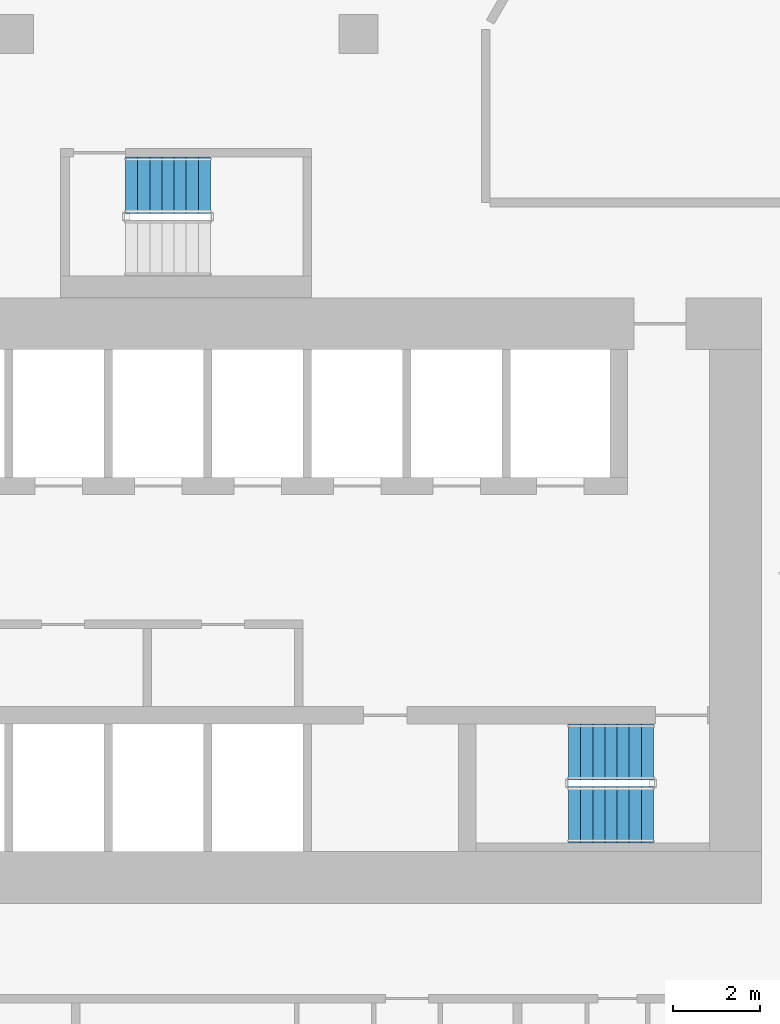
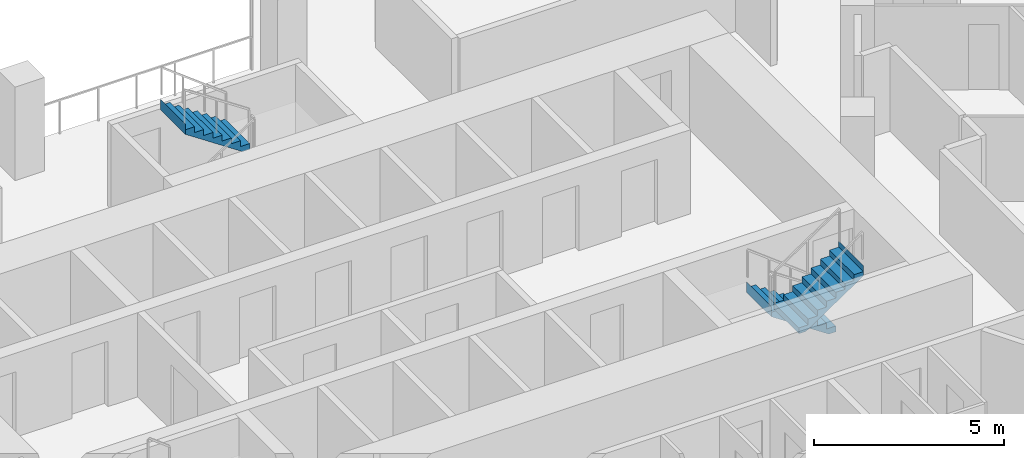
# One storey, part 12 of 16: 3 stair flights, 2 elements without a shape of their own.
"""IFC4 building model written with IfcOpenShell, lengths in metres."""

import ifcopenshell
import ifcopenshell.guid

model = None  # the IFC model being written
_history = None  # IfcOwnerHistory: only IFC2X3 demands one
_inside = {}  # id of a spatial element -> (the spatial element, [elements in it])
_under = {}  # id of a project, library or spatial element -> (it, [spatial elements below it])
_declared = {}  # id of a project -> (the project, [libraries it declares])
_typed = {}  # id of a type object -> (the type object, [elements of that type])
_made_of = {}  # id of a material, layer set ... -> (it, [elements and type objects made of it])


def new_model(schema):
    """Start an empty IFC model of exactly this schema.

    Asked for "IFC4X3", IfcOpenShell would pick the latest addendum, in which some entities
    have other attributes; the version numbers below select the first issue.
    IFC2X3 requires an IfcOwnerHistory on every rooted entity: one is made here for all.
    """
    global model, _history
    if schema == "IFC4X3":
        model = ifcopenshell.file(schema_version=(4, 3, 0, 0))
    else:
        model = ifcopenshell.file(schema=schema)
    _inside.clear()
    _under.clear()
    _declared.clear()
    _typed.clear()
    _made_of.clear()
    _history = None
    if model.schema == "IFC2X3":
        org = make("IfcOrganization", Name="unknown")
        user = make(
            "IfcPersonAndOrganization",
            ThePerson=make("IfcPerson", FamilyName="unknown"),
            TheOrganization=org,
        )
        app = make(
            "IfcApplication",
            ApplicationDeveloper=org,
            Version="unknown",
            ApplicationFullName="unknown",
            ApplicationIdentifier="unknown",
        )
        _history = make(
            "IfcOwnerHistory",
            OwningUser=user,
            OwningApplication=app,
            ChangeAction="ADDED",
            CreationDate=0,
        )
    return model


def make(cls, **values):
    """One entity of the class cls with the attributes given. An attribute that is None is left unset."""
    return model.create_entity(
        cls, **{name: value for name, value in values.items() if value is not None}
    )


def rooted(cls, **values):
    """An entity with a GlobalId (a new one), such as an element, a storey or a relation."""
    return make(cls, GlobalId=ifcopenshell.guid.new(), OwnerHistory=_history, **values)


def si_unit(unit_type, name, prefix=None):
    """IfcSIUnit, for example si_unit("LENGTHUNIT", "METRE", prefix="MILLI")."""
    return make("IfcSIUnit", UnitType=unit_type, Prefix=prefix, Name=name)


def assignment(units):
    """IfcUnitAssignment: the units of a project."""
    return None if units is None else make("IfcUnitAssignment", Units=units)


def point(xyz):
    """IfcCartesianPoint."""
    return None if xyz is None else make("IfcCartesianPoint", Coordinates=xyz)


def direction(xyz):
    """IfcDirection."""
    return None if xyz is None else make("IfcDirection", DirectionRatios=xyz)


def frame(location, z_axis=None, x_axis=None):
    """IfcAxis2Placement3D, a coordinate frame: its origin and axes. An axis left out is left unset."""
    return make(
        "IfcAxis2Placement3D",
        Location=point(location),
        Axis=direction(z_axis),
        RefDirection=direction(x_axis),
    )


def origin():
    """The frame at (0, 0, 0) with its axes left unset."""
    return frame((0.0, 0.0, 0.0))


def place(relative_to, where):
    """IfcLocalPlacement: puts the frame where relative to a parent placement (None: the world)."""
    return make(
        "IfcLocalPlacement", PlacementRelTo=relative_to, RelativePlacement=where
    )


def context(
    kind, dimensions, precision=None, world=None, true_north=None, identifier=None
):
    """IfcGeometricRepresentationContext, for example the 3D "Model" context."""
    return make(
        "IfcGeometricRepresentationContext",
        ContextIdentifier=identifier,
        ContextType=kind,
        CoordinateSpaceDimension=dimensions,
        Precision=precision,
        WorldCoordinateSystem=world,
        TrueNorth=true_north,
    )


def subcontext(parent, identifier, kind, view, scale=None):
    """IfcGeometricRepresentationSubContext, for example "Body" below "Model"."""
    return make(
        "IfcGeometricRepresentationSubContext",
        ContextIdentifier=identifier,
        ContextType=kind,
        ParentContext=parent,
        TargetScale=scale,
        TargetView=view,
    )


def project(units=None, contexts=None):
    """IfcProject with its units and contexts."""
    return rooted(
        "IfcProject",
        Name="project",
        RepresentationContexts=contexts,
        UnitsInContext=assignment(units),
    )


def spatial(cls, under=None, at=None, **own):
    """A site, building, storey or space (cls), placed at a placement, below another one or the project."""
    s = rooted(cls, ObjectPlacement=at, **own)
    if under is not None:
        _under.setdefault(under.id(), (under, []))[1].append(s)
    return s


def point_list(points):
    """IfcCartesianPointList2D or 3D."""
    cls = (
        "IfcCartesianPointList2D" if len(points[0]) == 2 else "IfcCartesianPointList3D"
    )
    return make(cls, CoordList=points)


def triangles(points, corners, closed=None, point_numbers=None):
    """IfcTriangulatedFaceSet: each triangle names its three corners, points numbered from 1."""
    return make(
        "IfcTriangulatedFaceSet",
        Coordinates=point_list(points),
        Closed=closed,
        CoordIndex=corners,
        PnIndex=point_numbers,
    )


def shape(context_of_items, identifier, shape_type, items):
    """IfcShapeRepresentation: the items that make up one representation, for example the "Body"."""
    return make(
        "IfcShapeRepresentation",
        ContextOfItems=context_of_items,
        RepresentationIdentifier=identifier,
        RepresentationType=shape_type,
        Items=items,
    )


def material(Name=None, Category=None):
    """IfcMaterial."""
    return make("IfcMaterial", Name=Name, Category=Category)


def made_of(thing, what):
    """Note that an element or type object is made of a material, layer set ...; save() writes the relation."""
    if what is not None:
        _made_of.setdefault(what.id(), (what, []))[1].append(thing)
    return thing


def type_object(cls, material=None, **own):
    """A type object (cls), such as IfcWallType, which elements share."""
    return made_of(rooted(cls, **own), material)


def element(
    cls,
    number,
    at=None,
    inside=None,
    cuts=None,
    type_object=None,
    material=None,
    context=None,
    identifier="Body",
    shape_type=None,
    held_by="IfcProductDefinitionShape",
    body=None,
    shapes=None,
    **own,
):
    """One element of the class cls, such as IfcWall. Its Tag is "e" and its number.

    at: its placement. inside: the storey or other place that contains it. cuts: it is an
    opening in that element (IfcRelVoidsElement). A single representation is given by context,
    identifier, shape_type and body (its items); several are given by shapes. held_by: the class
    of the entity that holds the representations. save() writes the other relations.
    """
    e = rooted(cls, Tag="e%d" % number, ObjectPlacement=at, **own)
    if body is not None:
        shapes = [shape(context, identifier, shape_type, body)]
    if shapes is not None:
        e.Representation = make(held_by, Representations=shapes)
    if inside is not None:
        _inside.setdefault(inside.id(), (inside, []))[1].append(e)
    if cuts is not None:
        rooted(
            "IfcRelVoidsElement", RelatingBuildingElement=cuts, RelatedOpeningElement=e
        )
    if type_object is not None:
        _typed.setdefault(type_object.id(), (type_object, []))[1].append(e)
    return made_of(e, material)


def aggregate(whole, parts):
    """IfcRelAggregates: a whole, such as a stair, and the parts it consists of."""
    return rooted("IfcRelAggregates", RelatingObject=whole, RelatedObjects=parts)


def save(model, path):
    """Write the relations noted so far, then the file.

    IfcRelAggregates (storeys below a building ...), IfcRelContainedInSpatialStructure (elements
    in a storey), IfcRelDefinesByType, IfcRelAssociatesMaterial and IfcRelDeclares: one each for
    every whole, place, type object, material and project.
    """
    for whole, parts in _under.values():
        aggregate(whole, parts)
    for where, things in _inside.values():
        rooted(
            "IfcRelContainedInSpatialStructure",
            RelatedElements=things,
            RelatingStructure=where,
        )
    for kind, things in _typed.values():
        rooted("IfcRelDefinesByType", RelatedObjects=things, RelatingType=kind)
    for what, things in _made_of.values():
        rooted("IfcRelAssociatesMaterial", RelatedObjects=things, RelatingMaterial=what)
    for by, libraries in _declared.values():
        rooted("IfcRelDeclares", RelatingContext=by, RelatedDefinitions=libraries)
    model.write(path)


model = new_model("IFC4")

# Units and contexts
model_context = context("Model", 3, precision=1e-05, world=origin(), true_north=direction((0.0, 1.0)))
body_context = subcontext(model_context, "Body", "Model", "MODEL_VIEW")
ifc_project = project(units=[si_unit("LENGTHUNIT", "METRE"), si_unit("AREAUNIT", "SQUARE_METRE"), si_unit("VOLUMEUNIT", "CUBIC_METRE"), si_unit("PLANEANGLEUNIT", "RADIAN"), si_unit("MASSUNIT", "GRAM", prefix="KILO")], contexts=[model_context])

# Site, building, storey
site_placement = place(None, origin())
site = spatial("IfcSite", under=ifc_project, at=site_placement, CompositionType="ELEMENT")
building_placement = place(site_placement, origin())
building = spatial("IfcBuilding", under=site, at=building_placement, Name="Beryl Residences", CompositionType="ELEMENT")
storey_placement = place(building_placement, frame((0.0, 0.0, 44.39990234375)))
storey = spatial("IfcBuildingStorey", under=building, at=storey_placement, Name="L13", CompositionType="ELEMENT", Elevation=44.39990234375)

# Stair, stair flights
ifc_material_1 = material(Name="Concrete C40/50", Category="concrete")
stair_type = type_object("IfcStairType", Name="ST1 protected exit stair, half-turn, 1300 mm flights", PredefinedType="HALF_TURN_STAIR", material=ifc_material_1)
stair_1_placement = place(storey_placement, origin())
stair_1 = element("IfcStair", 1, at=stair_1_placement, inside=storey, type_object=stair_type, Name="L13 PROTECTED EXIT STAIR ST-3", PredefinedType="HALF_TURN_STAIR")
ifc_material_2 = material(Name="Concrete C40/50", Category="concrete")
stair_flight_type = type_object("IfcStairFlightType", Name="SF1 stair flight 1300 mm", PredefinedType="STRAIGHT", material=ifc_material_2)
stair_flight_1_placement = place(storey_placement, frame((10.800048828125, -15.5, 0.0), z_axis=(0.0, 0.0, 1.0), x_axis=(-1.0, 0.0, 0.0)))
stair_flight_1 = element("IfcStairFlight", 2, at=stair_flight_1_placement, type_object=stair_flight_type, Name="ST-3 flight 1", NumberOfRisers=8, NumberOfTreads=7, PredefinedType="STRAIGHT", RiserHeight=0.1875, TreadLength=0.28, context=body_context, shape_type="Tessellation", body=[
    triangles([(0.0, -0.64990234375, 0.0), (0.0, -0.324951171875, 0.0), (0.0, 0.0, 0.0), (0.0, 0.324951171875, 0.0), (0.0, 0.64990234375, 0.0), (0.0, -0.64990234375, 0.1875), (0.0, -0.324951171875, 0.1875), (0.0, 0.0, 0.1875), (0.0, 0.324951171875, 0.1875), (0.0, 0.64990234375, 0.1875), (0.280029296875, -0.64990234375, 0.1875), (0.280029296875, -0.324951171875, 0.1875), (0.280029296875, 0.0, 0.1875), (0.280029296875, 0.324951171875, 0.1875), (0.280029296875, 0.64990234375, 0.1875), (0.280029296875, -0.64990234375, 0.375), (0.280029296875, -0.324951171875, 0.375), (0.280029296875, 0.0, 0.375), (0.280029296875, 0.324951171875, 0.375), (0.280029296875, 0.64990234375, 0.375), (0.56005859375, -0.64990234375, 0.375), (0.56005859375, -0.324951171875, 0.375), (0.56005859375, 0.0, 0.375), (0.56005859375, 0.324951171875, 0.375), (0.56005859375, 0.64990234375, 0.375), (0.56005859375, -0.64990234375, 0.5625), (0.56005859375, -0.324951171875, 0.5625), (0.56005859375, 0.0, 0.5625), (0.56005859375, 0.324951171875, 0.5625), (0.56005859375, 0.64990234375, 0.5625), (0.840087890625, -0.64990234375, 0.5625), (0.840087890625, -0.324951171875, 0.5625), (0.840087890625, 0.0, 0.5625), (0.840087890625, 0.324951171875, 0.5625), (0.840087890625, 0.64990234375, 0.5625), (0.840087890625, -0.64990234375, 0.75), (0.840087890625, -0.324951171875, 0.75), (0.840087890625, 0.0, 0.75), (0.840087890625, 0.324951171875, 0.75), (0.840087890625, 0.64990234375, 0.75), (1.1201171875, -0.64990234375, 0.75), (1.1201171875, -0.324951171875, 0.75), (1.1201171875, 0.0, 0.75), (1.1201171875, 0.324951171875, 0.75), (1.1201171875, 0.64990234375, 0.75), (1.1201171875, -0.64990234375, 0.9375), (1.1201171875, -0.324951171875, 0.9375), (1.1201171875, 0.0, 0.9375), (1.1201171875, 0.324951171875, 0.9375), (1.1201171875, 0.64990234375, 0.9375), (1.39990234375, -0.64990234375, 0.9375), (1.39990234375, -0.324951171875, 0.9375), (1.39990234375, 0.0, 0.9375), (1.39990234375, 0.324951171875, 0.9375), (1.39990234375, 0.64990234375, 0.9375), (1.39990234375, -0.64990234375, 1.125), (1.39990234375, -0.324951171875, 1.125), (1.39990234375, 0.0, 1.125), (1.39990234375, 0.324951171875, 1.125), (1.39990234375, 0.64990234375, 1.125), (1.679931640625, -0.64990234375, 1.125), (1.679931640625, -0.324951171875, 1.125), (1.679931640625, 0.0, 1.125), (1.679931640625, 0.324951171875, 1.125), (1.679931640625, 0.64990234375, 1.125), (1.679931640625, -0.64990234375, 1.3125), (1.679931640625, -0.324951171875, 1.3125), (1.679931640625, 0.0, 1.3125), (1.679931640625, 0.324951171875, 1.3125), (1.679931640625, 0.64990234375, 1.3125), (1.9599609375, -0.64990234375, 1.3125), (1.9599609375, -0.324951171875, 1.3125), (1.9599609375, 0.0, 1.3125), (1.9599609375, 0.324951171875, 1.3125), (1.9599609375, 0.64990234375, 1.3125), (1.9599609375, -0.64990234375, 1.5), (1.9599609375, -0.324951171875, 1.5), (1.9599609375, 0.0, 1.5), (1.9599609375, 0.324951171875, 1.5), (1.9599609375, 0.64990234375, 1.5), (1.9609375, -0.64990234375, 1.5), (1.9609375, -0.324951171875, 1.5), (1.9609375, 0.0, 1.5), (1.9609375, 0.324951171875, 1.5), (1.9609375, 0.64990234375, 1.5), (1.9609375, -0.64990234375, 1.16796875), (1.9609375, -0.324951171875, 1.16796875), (1.9609375, 0.0, 1.16796875), (1.9609375, 0.324951171875, 1.16796875), (1.9609375, 0.64990234375, 1.16796875), (0.216796875, -0.64990234375, 0.0), (0.216796875, -0.324951171875, 0.0), (0.216796875, 0.0, 0.0), (0.216796875, 0.324951171875, 0.0), (0.216796875, 0.64990234375, 0.0)], [[1, 6, 7], [1, 7, 2], [2, 7, 8], [2, 8, 3], [3, 8, 9], [3, 9, 4], [4, 9, 10], [4, 10, 5], [6, 11, 12], [6, 12, 7], [7, 12, 13], [7, 13, 8], [8, 13, 14], [8, 14, 9], [9, 14, 15], [9, 15, 10], [11, 16, 17], [11, 17, 12], [12, 17, 18], [12, 18, 13], [13, 18, 19], [13, 19, 14], [14, 19, 20], [14, 20, 15], [16, 21, 22], [16, 22, 17], [17, 22, 23], [17, 23, 18], [18, 23, 24], [18, 24, 19], [19, 24, 25], [19, 25, 20], [21, 26, 27], [21, 27, 22], [22, 27, 28], [22, 28, 23], [23, 28, 29], [23, 29, 24], [24, 29, 30], [24, 30, 25], [26, 31, 32], [26, 32, 27], [27, 32, 33], [27, 33, 28], [28, 33, 34], [28, 34, 29], [29, 34, 35], [29, 35, 30], [31, 36, 37], [31, 37, 32], [32, 37, 38], [32, 38, 33], [33, 38, 39], [33, 39, 34], [34, 39, 40], [34, 40, 35], [36, 41, 42], [36, 42, 37], [37, 42, 43], [37, 43, 38], [38, 43, 44], [38, 44, 39], [39, 44, 45], [39, 45, 40], [41, 46, 47], [41, 47, 42], [42, 47, 48], [42, 48, 43], [43, 48, 49], [43, 49, 44], [44, 49, 50], [44, 50, 45], [46, 51, 52], [46, 52, 47], [47, 52, 53], [47, 53, 48], [48, 53, 54], [48, 54, 49], [49, 54, 55], [49, 55, 50], [51, 56, 57], [51, 57, 52], [52, 57, 58], [52, 58, 53], [53, 58, 59], [53, 59, 54], [54, 59, 60], [54, 60, 55], [56, 61, 62], [56, 62, 57], [57, 62, 63], [57, 63, 58], [58, 63, 64], [58, 64, 59], [59, 64, 65], [59, 65, 60], [61, 66, 67], [61, 67, 62], [62, 67, 68], [62, 68, 63], [63, 68, 69], [63, 69, 64], [64, 69, 70], [64, 70, 65], [66, 71, 72], [66, 72, 67], [67, 72, 73], [67, 73, 68], [68, 73, 74], [68, 74, 69], [69, 74, 75], [69, 75, 70], [71, 76, 77], [71, 77, 72], [72, 77, 78], [72, 78, 73], [73, 78, 79], [73, 79, 74], [74, 79, 80], [74, 80, 75], [76, 81, 82], [76, 82, 77], [77, 82, 83], [77, 83, 78], [78, 83, 84], [78, 84, 79], [79, 84, 85], [79, 85, 80], [81, 86, 87], [81, 87, 82], [82, 87, 88], [82, 88, 83], [83, 88, 89], [83, 89, 84], [84, 89, 90], [84, 90, 85], [86, 91, 92], [86, 92, 87], [87, 92, 93], [87, 93, 88], [88, 93, 94], [88, 94, 89], [89, 94, 95], [89, 95, 90], [91, 1, 2], [91, 2, 92], [92, 2, 3], [92, 3, 93], [93, 3, 4], [93, 4, 94], [94, 4, 5], [94, 5, 95], [1, 91, 86], [5, 90, 95], [86, 81, 76], [90, 80, 85], [86, 76, 71], [90, 75, 80], [86, 71, 66], [90, 70, 75], [86, 66, 61], [90, 65, 70], [61, 56, 51], [65, 55, 60], [86, 61, 51], [90, 55, 65], [51, 46, 41], [55, 45, 50], [86, 51, 41], [90, 45, 55], [41, 36, 31], [45, 35, 40], [86, 41, 31], [90, 35, 45], [31, 26, 21], [35, 25, 30], [86, 31, 21], [90, 25, 35], [21, 16, 11], [25, 15, 20], [86, 21, 11], [90, 15, 25], [1, 86, 11], [5, 15, 90], [11, 6, 1], [15, 5, 10]], closed=True),
])
stair_flight_2_placement = place(storey_placement, frame((8.840087890625, -16.949951171875, 1.5), z_axis=(0.0, 0.0, 1.0), x_axis=(1.0, 0.0, 0.0)))
stair_flight_2 = element("IfcStairFlight", 3, at=stair_flight_2_placement, type_object=stair_flight_type, Name="ST-3 flight 2", NumberOfRisers=8, NumberOfTreads=7, PredefinedType="STRAIGHT", RiserHeight=0.1875, TreadLength=0.28, context=body_context, shape_type="Tessellation", body=[
    triangles([(0.0, -0.64990234375, 0.0), (0.0, -0.324951171875, 0.0), (0.0, 0.0, 0.0), (0.0, 0.324951171875, 0.0), (0.0, 0.64990234375, 0.0), (0.0, -0.64990234375, 0.1875), (0.0, -0.324951171875, 0.1875), (0.0, 0.0, 0.1875), (0.0, 0.324951171875, 0.1875), (0.0, 0.64990234375, 0.1875), (0.280029296875, -0.64990234375, 0.1875), (0.280029296875, -0.324951171875, 0.1875), (0.280029296875, 0.0, 0.1875), (0.280029296875, 0.324951171875, 0.1875), (0.280029296875, 0.64990234375, 0.1875), (0.280029296875, -0.64990234375, 0.375), (0.280029296875, -0.324951171875, 0.375), (0.280029296875, 0.0, 0.375), (0.280029296875, 0.324951171875, 0.375), (0.280029296875, 0.64990234375, 0.375), (0.56005859375, -0.64990234375, 0.375), (0.56005859375, -0.324951171875, 0.375), (0.56005859375, 0.0, 0.375), (0.56005859375, 0.324951171875, 0.375), (0.56005859375, 0.64990234375, 0.375), (0.56005859375, -0.64990234375, 0.5625), (0.56005859375, -0.324951171875, 0.5625), (0.56005859375, 0.0, 0.5625), (0.56005859375, 0.324951171875, 0.5625), (0.56005859375, 0.64990234375, 0.5625), (0.840087890625, -0.64990234375, 0.5625), (0.840087890625, -0.324951171875, 0.5625), (0.840087890625, 0.0, 0.5625), (0.840087890625, 0.324951171875, 0.5625), (0.840087890625, 0.64990234375, 0.5625), (0.840087890625, -0.64990234375, 0.75), (0.840087890625, -0.324951171875, 0.75), (0.840087890625, 0.0, 0.75), (0.840087890625, 0.324951171875, 0.75), (0.840087890625, 0.64990234375, 0.75), (1.1201171875, -0.64990234375, 0.75), (1.1201171875, -0.324951171875, 0.75), (1.1201171875, 0.0, 0.75), (1.1201171875, 0.324951171875, 0.75), (1.1201171875, 0.64990234375, 0.75), (1.1201171875, -0.64990234375, 0.9375), (1.1201171875, -0.324951171875, 0.9375), (1.1201171875, 0.0, 0.9375), (1.1201171875, 0.324951171875, 0.9375), (1.1201171875, 0.64990234375, 0.9375), (1.39990234375, -0.64990234375, 0.9375), (1.39990234375, -0.324951171875, 0.9375), (1.39990234375, 0.0, 0.9375), (1.39990234375, 0.324951171875, 0.9375), (1.39990234375, 0.64990234375, 0.9375), (1.39990234375, -0.64990234375, 1.125), (1.39990234375, -0.324951171875, 1.125), (1.39990234375, 0.0, 1.125), (1.39990234375, 0.324951171875, 1.125), (1.39990234375, 0.64990234375, 1.125), (1.679931640625, -0.64990234375, 1.125), (1.679931640625, -0.324951171875, 1.125), (1.679931640625, 0.0, 1.125), (1.679931640625, 0.324951171875, 1.125), (1.679931640625, 0.64990234375, 1.125), (1.679931640625, -0.64990234375, 1.3125), (1.679931640625, -0.324951171875, 1.3125), (1.679931640625, 0.0, 1.3125), (1.679931640625, 0.324951171875, 1.3125), (1.679931640625, 0.64990234375, 1.3125), (1.9599609375, -0.64990234375, 1.3125), (1.9599609375, -0.324951171875, 1.3125), (1.9599609375, 0.0, 1.3125), (1.9599609375, 0.324951171875, 1.3125), (1.9599609375, 0.64990234375, 1.3125), (1.9599609375, -0.64990234375, 1.5), (1.9599609375, -0.324951171875, 1.5), (1.9599609375, 0.0, 1.5), (1.9599609375, 0.324951171875, 1.5), (1.9599609375, 0.64990234375, 1.5), (1.9609375, -0.64990234375, 1.5), (1.9609375, -0.324951171875, 1.5), (1.9609375, 0.0, 1.5), (1.9609375, 0.324951171875, 1.5), (1.9609375, 0.64990234375, 1.5), (1.9609375, -0.64990234375, 1.16796875), (1.9609375, -0.324951171875, 1.16796875), (1.9609375, 0.0, 1.16796875), (1.9609375, 0.324951171875, 1.16796875), (1.9609375, 0.64990234375, 1.16796875), (0.216796875, -0.64990234375, 0.0), (0.216796875, -0.324951171875, 0.0), (0.216796875, 0.0, 0.0), (0.216796875, 0.324951171875, 0.0), (0.216796875, 0.64990234375, 0.0)], [[1, 6, 7], [1, 7, 2], [2, 7, 8], [2, 8, 3], [3, 8, 9], [3, 9, 4], [4, 9, 10], [4, 10, 5], [6, 11, 12], [6, 12, 7], [7, 12, 13], [7, 13, 8], [8, 13, 14], [8, 14, 9], [9, 14, 15], [9, 15, 10], [11, 16, 17], [11, 17, 12], [12, 17, 18], [12, 18, 13], [13, 18, 19], [13, 19, 14], [14, 19, 20], [14, 20, 15], [16, 21, 22], [16, 22, 17], [17, 22, 23], [17, 23, 18], [18, 23, 24], [18, 24, 19], [19, 24, 25], [19, 25, 20], [21, 26, 27], [21, 27, 22], [22, 27, 28], [22, 28, 23], [23, 28, 29], [23, 29, 24], [24, 29, 30], [24, 30, 25], [26, 31, 32], [26, 32, 27], [27, 32, 33], [27, 33, 28], [28, 33, 34], [28, 34, 29], [29, 34, 35], [29, 35, 30], [31, 36, 37], [31, 37, 32], [32, 37, 38], [32, 38, 33], [33, 38, 39], [33, 39, 34], [34, 39, 40], [34, 40, 35], [36, 41, 42], [36, 42, 37], [37, 42, 43], [37, 43, 38], [38, 43, 44], [38, 44, 39], [39, 44, 45], [39, 45, 40], [41, 46, 47], [41, 47, 42], [42, 47, 48], [42, 48, 43], [43, 48, 49], [43, 49, 44], [44, 49, 50], [44, 50, 45], [46, 51, 52], [46, 52, 47], [47, 52, 53], [47, 53, 48], [48, 53, 54], [48, 54, 49], [49, 54, 55], [49, 55, 50], [51, 56, 57], [51, 57, 52], [52, 57, 58], [52, 58, 53], [53, 58, 59], [53, 59, 54], [54, 59, 60], [54, 60, 55], [56, 61, 62], [56, 62, 57], [57, 62, 63], [57, 63, 58], [58, 63, 64], [58, 64, 59], [59, 64, 65], [59, 65, 60], [61, 66, 67], [61, 67, 62], [62, 67, 68], [62, 68, 63], [63, 68, 69], [63, 69, 64], [64, 69, 70], [64, 70, 65], [66, 71, 72], [66, 72, 67], [67, 72, 73], [67, 73, 68], [68, 73, 74], [68, 74, 69], [69, 74, 75], [69, 75, 70], [71, 76, 77], [71, 77, 72], [72, 77, 78], [72, 78, 73], [73, 78, 79], [73, 79, 74], [74, 79, 80], [74, 80, 75], [76, 81, 82], [76, 82, 77], [77, 82, 83], [77, 83, 78], [78, 83, 84], [78, 84, 79], [79, 84, 85], [79, 85, 80], [81, 86, 87], [81, 87, 82], [82, 87, 88], [82, 88, 83], [83, 88, 89], [83, 89, 84], [84, 89, 90], [84, 90, 85], [86, 91, 92], [86, 92, 87], [87, 92, 93], [87, 93, 88], [88, 93, 94], [88, 94, 89], [89, 94, 95], [89, 95, 90], [91, 1, 2], [91, 2, 92], [92, 2, 3], [92, 3, 93], [93, 3, 4], [93, 4, 94], [94, 4, 5], [94, 5, 95], [1, 91, 86], [5, 90, 95], [86, 81, 76], [90, 80, 85], [86, 76, 71], [90, 75, 80], [86, 71, 66], [90, 70, 75], [86, 66, 61], [90, 65, 70], [61, 56, 51], [65, 55, 60], [86, 61, 51], [90, 55, 65], [51, 46, 41], [55, 45, 50], [86, 51, 41], [90, 45, 55], [41, 36, 31], [45, 35, 40], [86, 41, 31], [90, 35, 45], [31, 26, 21], [35, 25, 30], [86, 31, 21], [90, 25, 35], [21, 16, 11], [25, 15, 20], [86, 21, 11], [90, 15, 25], [1, 86, 11], [5, 15, 90], [11, 6, 1], [15, 5, 10]], closed=True),
])
aggregate(stair_1, [stair_flight_1, stair_flight_2])

# Stair, stair flight
stair_2_placement = place(storey_placement, origin())
stair_2 = element("IfcStair", 4, at=stair_2_placement, inside=storey, type_object=stair_type, Name="L13 PROTECTED EXIT STAIR ST-4", PredefinedType="HALF_TURN_STAIR")
stair_flight_3_placement = place(storey_placement, frame((0.56005859375, -2.39990234375, 1.5), z_axis=(0.0, 0.0, 1.0), x_axis=(-1.0, 0.0, 0.0)))
stair_flight_3 = element("IfcStairFlight", 5, at=stair_flight_3_placement, type_object=stair_flight_type, Name="ST-4 flight 2", NumberOfRisers=8, NumberOfTreads=7, PredefinedType="STRAIGHT", RiserHeight=0.1875, TreadLength=0.28, context=body_context, shape_type="Tessellation", body=[
    triangles([(0.0, -0.64990234375, 0.0), (0.0, -0.324951171875, 0.0), (0.0, 0.0, 0.0), (0.0, 0.324951171875, 0.0), (0.0, 0.64990234375, 0.0), (0.0, -0.64990234375, 0.1875), (0.0, -0.324951171875, 0.1875), (0.0, 0.0, 0.1875), (0.0, 0.324951171875, 0.1875), (0.0, 0.64990234375, 0.1875), (0.280029296875, -0.64990234375, 0.1875), (0.280029296875, -0.324951171875, 0.1875), (0.280029296875, 0.0, 0.1875), (0.280029296875, 0.324951171875, 0.1875), (0.280029296875, 0.64990234375, 0.1875), (0.280029296875, -0.64990234375, 0.375), (0.280029296875, -0.324951171875, 0.375), (0.280029296875, 0.0, 0.375), (0.280029296875, 0.324951171875, 0.375), (0.280029296875, 0.64990234375, 0.375), (0.56005859375, -0.64990234375, 0.375), (0.56005859375, -0.324951171875, 0.375), (0.56005859375, 0.0, 0.375), (0.56005859375, 0.324951171875, 0.375), (0.56005859375, 0.64990234375, 0.375), (0.56005859375, -0.64990234375, 0.5625), (0.56005859375, -0.324951171875, 0.5625), (0.56005859375, 0.0, 0.5625), (0.56005859375, 0.324951171875, 0.5625), (0.56005859375, 0.64990234375, 0.5625), (0.840087890625, -0.64990234375, 0.5625), (0.840087890625, -0.324951171875, 0.5625), (0.840087890625, 0.0, 0.5625), (0.840087890625, 0.324951171875, 0.5625), (0.840087890625, 0.64990234375, 0.5625), (0.840087890625, -0.64990234375, 0.75), (0.840087890625, -0.324951171875, 0.75), (0.840087890625, 0.0, 0.75), (0.840087890625, 0.324951171875, 0.75), (0.840087890625, 0.64990234375, 0.75), (1.1201171875, -0.64990234375, 0.75), (1.1201171875, -0.324951171875, 0.75), (1.1201171875, 0.0, 0.75), (1.1201171875, 0.324951171875, 0.75), (1.1201171875, 0.64990234375, 0.75), (1.1201171875, -0.64990234375, 0.9375), (1.1201171875, -0.324951171875, 0.9375), (1.1201171875, 0.0, 0.9375), (1.1201171875, 0.324951171875, 0.9375), (1.1201171875, 0.64990234375, 0.9375), (1.39990234375, -0.64990234375, 0.9375), (1.39990234375, -0.324951171875, 0.9375), (1.39990234375, 0.0, 0.9375), (1.39990234375, 0.324951171875, 0.9375), (1.39990234375, 0.64990234375, 0.9375), (1.39990234375, -0.64990234375, 1.125), (1.39990234375, -0.324951171875, 1.125), (1.39990234375, 0.0, 1.125), (1.39990234375, 0.324951171875, 1.125), (1.39990234375, 0.64990234375, 1.125), (1.679931640625, -0.64990234375, 1.125), (1.679931640625, -0.324951171875, 1.125), (1.679931640625, 0.0, 1.125), (1.679931640625, 0.324951171875, 1.125), (1.679931640625, 0.64990234375, 1.125), (1.679931640625, -0.64990234375, 1.3125), (1.679931640625, -0.324951171875, 1.3125), (1.679931640625, 0.0, 1.3125), (1.679931640625, 0.324951171875, 1.3125), (1.679931640625, 0.64990234375, 1.3125), (1.9599609375, -0.64990234375, 1.3125), (1.9599609375, -0.324951171875, 1.3125), (1.9599609375, 0.0, 1.3125), (1.9599609375, 0.324951171875, 1.3125), (1.9599609375, 0.64990234375, 1.3125), (1.9599609375, -0.64990234375, 1.5), (1.9599609375, -0.324951171875, 1.5), (1.9599609375, 0.0, 1.5), (1.9599609375, 0.324951171875, 1.5), (1.9599609375, 0.64990234375, 1.5), (1.9609375, -0.64990234375, 1.5), (1.9609375, -0.324951171875, 1.5), (1.9609375, 0.0, 1.5), (1.9609375, 0.324951171875, 1.5), (1.9609375, 0.64990234375, 1.5), (1.9609375, -0.64990234375, 1.16796875), (1.9609375, -0.324951171875, 1.16796875), (1.9609375, 0.0, 1.16796875), (1.9609375, 0.324951171875, 1.16796875), (1.9609375, 0.64990234375, 1.16796875), (0.216796875, -0.64990234375, 0.0), (0.216796875, -0.324951171875, 0.0), (0.216796875, 0.0, 0.0), (0.216796875, 0.324951171875, 0.0), (0.216796875, 0.64990234375, 0.0)], [[1, 6, 7], [1, 7, 2], [2, 7, 8], [2, 8, 3], [3, 8, 9], [3, 9, 4], [4, 9, 10], [4, 10, 5], [6, 11, 12], [6, 12, 7], [7, 12, 13], [7, 13, 8], [8, 13, 14], [8, 14, 9], [9, 14, 15], [9, 15, 10], [11, 16, 17], [11, 17, 12], [12, 17, 18], [12, 18, 13], [13, 18, 19], [13, 19, 14], [14, 19, 20], [14, 20, 15], [16, 21, 22], [16, 22, 17], [17, 22, 23], [17, 23, 18], [18, 23, 24], [18, 24, 19], [19, 24, 25], [19, 25, 20], [21, 26, 27], [21, 27, 22], [22, 27, 28], [22, 28, 23], [23, 28, 29], [23, 29, 24], [24, 29, 30], [24, 30, 25], [26, 31, 32], [26, 32, 27], [27, 32, 33], [27, 33, 28], [28, 33, 34], [28, 34, 29], [29, 34, 35], [29, 35, 30], [31, 36, 37], [31, 37, 32], [32, 37, 38], [32, 38, 33], [33, 38, 39], [33, 39, 34], [34, 39, 40], [34, 40, 35], [36, 41, 42], [36, 42, 37], [37, 42, 43], [37, 43, 38], [38, 43, 44], [38, 44, 39], [39, 44, 45], [39, 45, 40], [41, 46, 47], [41, 47, 42], [42, 47, 48], [42, 48, 43], [43, 48, 49], [43, 49, 44], [44, 49, 50], [44, 50, 45], [46, 51, 52], [46, 52, 47], [47, 52, 53], [47, 53, 48], [48, 53, 54], [48, 54, 49], [49, 54, 55], [49, 55, 50], [51, 56, 57], [51, 57, 52], [52, 57, 58], [52, 58, 53], [53, 58, 59], [53, 59, 54], [54, 59, 60], [54, 60, 55], [56, 61, 62], [56, 62, 57], [57, 62, 63], [57, 63, 58], [58, 63, 64], [58, 64, 59], [59, 64, 65], [59, 65, 60], [61, 66, 67], [61, 67, 62], [62, 67, 68], [62, 68, 63], [63, 68, 69], [63, 69, 64], [64, 69, 70], [64, 70, 65], [66, 71, 72], [66, 72, 67], [67, 72, 73], [67, 73, 68], [68, 73, 74], [68, 74, 69], [69, 74, 75], [69, 75, 70], [71, 76, 77], [71, 77, 72], [72, 77, 78], [72, 78, 73], [73, 78, 79], [73, 79, 74], [74, 79, 80], [74, 80, 75], [76, 81, 82], [76, 82, 77], [77, 82, 83], [77, 83, 78], [78, 83, 84], [78, 84, 79], [79, 84, 85], [79, 85, 80], [81, 86, 87], [81, 87, 82], [82, 87, 88], [82, 88, 83], [83, 88, 89], [83, 89, 84], [84, 89, 90], [84, 90, 85], [86, 91, 92], [86, 92, 87], [87, 92, 93], [87, 93, 88], [88, 93, 94], [88, 94, 89], [89, 94, 95], [89, 95, 90], [91, 1, 2], [91, 2, 92], [92, 2, 3], [92, 3, 93], [93, 3, 4], [93, 4, 94], [94, 4, 5], [94, 5, 95], [1, 91, 86], [5, 90, 95], [86, 81, 76], [90, 80, 85], [86, 76, 71], [90, 75, 80], [86, 71, 66], [90, 70, 75], [86, 66, 61], [90, 65, 70], [61, 56, 51], [65, 55, 60], [86, 61, 51], [90, 55, 65], [51, 46, 41], [55, 45, 50], [86, 51, 41], [90, 45, 55], [41, 36, 31], [45, 35, 40], [86, 41, 31], [90, 35, 45], [31, 26, 21], [35, 25, 30], [86, 31, 21], [90, 25, 35], [21, 16, 11], [25, 15, 20], [86, 21, 11], [90, 15, 25], [1, 86, 11], [5, 15, 90], [11, 6, 1], [15, 5, 10]], closed=True),
])
aggregate(stair_2, [stair_flight_3])

save(model, "model.ifc")
